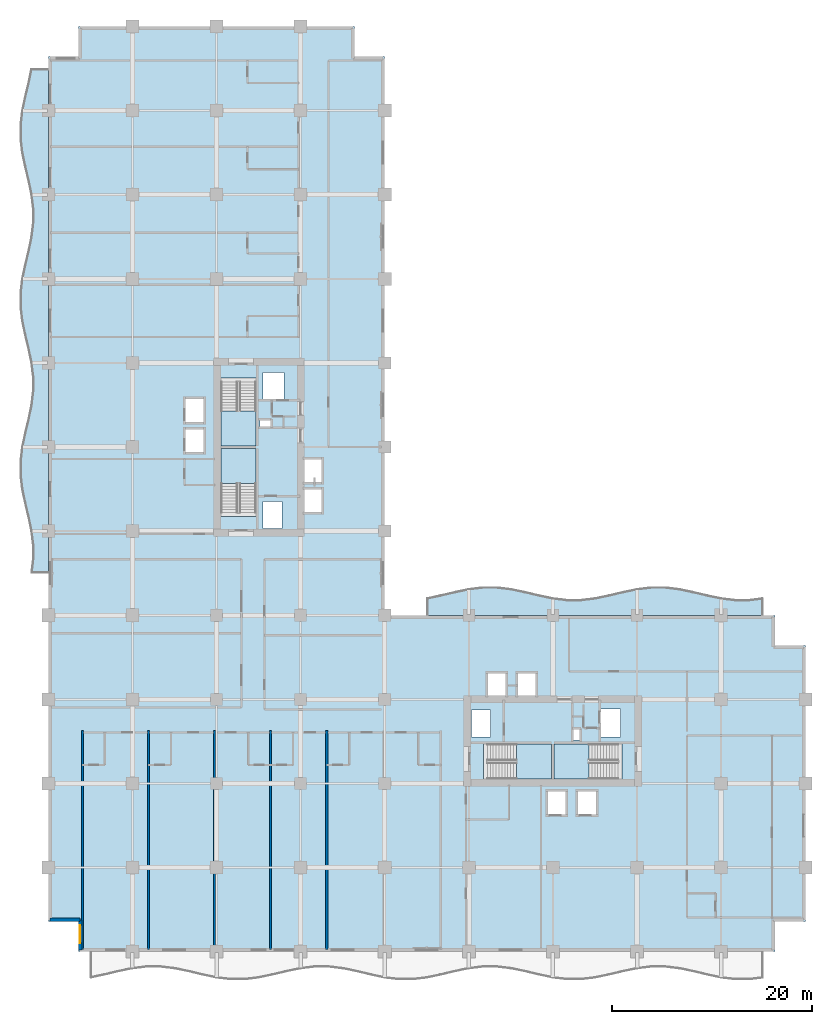
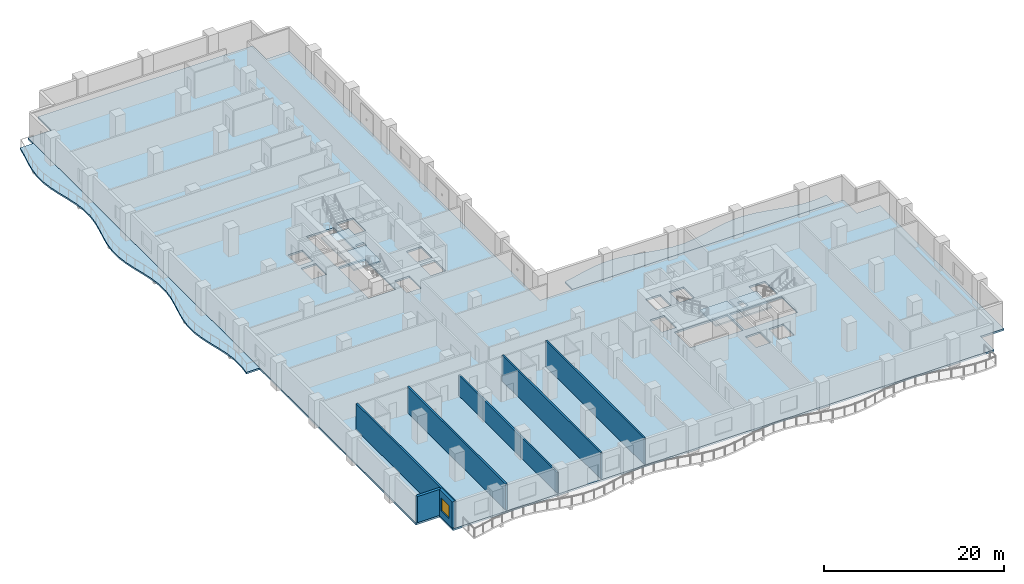
# One storey, part 3 of 17: 7 slabs, 7 walls, 1 window, 1 opening, 4 elements without a shape of their own.
"""IFC4 building model written with IfcOpenShell, lengths in metres."""

from ifc_helpers import new_model, si_unit, direction, frame, frame_2d, origin, place, context, subcontext, project, spatial, polyline, rectangle, outline, extrude, material, layer, layer_set, type_object, element, fill, aggregate, save


model = new_model("IFC4")

# Units and contexts
model_context = context("Model", 3, precision=1e-05, world=origin(), true_north=direction((0.0, 1.0)))
body_context = subcontext(model_context, "Body", "Model", "MODEL_VIEW")
ifc_project = project(units=[si_unit("LENGTHUNIT", "METRE"), si_unit("AREAUNIT", "SQUARE_METRE"), si_unit("VOLUMEUNIT", "CUBIC_METRE"), si_unit("PLANEANGLEUNIT", "RADIAN"), si_unit("MASSUNIT", "GRAM", prefix="KILO")], contexts=[model_context])

# Site, building, storey
site_placement = place(None, origin())
site = spatial("IfcSite", under=ifc_project, at=site_placement, CompositionType="ELEMENT")
building_placement = place(site_placement, origin())
building = spatial("IfcBuilding", under=site, at=building_placement, Name="Koriwani Terraces Tower", CompositionType="ELEMENT")
storey_placement = place(building_placement, frame((0.0, 0.0, 122.800048828125)))
storey = spatial("IfcBuildingStorey", under=building, at=storey_placement, Name="L29", CompositionType="ELEMENT", Elevation=122.800048828125)

# Slabs
ifc_material_1 = material(Name="Concrete C40/50", Category="concrete")
ifc_layer_1 = layer(ifc_material_1, 0.219970703125, Name="Concrete C40/50")
ifc_layer_set_1 = layer_set([ifc_layer_1], Name="Concrete C40/50")
slab_type_1 = type_object("IfcSlabType", Name="SLAB_BALCONY_220", PredefinedType="FLOOR", material=ifc_layer_set_1)
slab_1_placement = place(storey_placement, frame((0.0, 0.0, -0.219970703125)))
element("IfcSlab", 1, at=slab_1_placement, inside=storey, type_object=slab_type_1, Name="L29 Quilted Circular-Arc Balcony (W)", PredefinedType="FLOOR", context=body_context, shape_type="SweptSolid", body=[
    extrude(outline(polyline([(0.0, 37.800048828125), (0.0, 39.199951171875), (0.0, 40.60009765625), (0.0, 42.0), (0.0, 43.39990234375), (0.0, 44.800048828125), (0.0, 46.199951171875), (0.0, 47.60009765625), (0.0, 49.0), (0.0, 50.39990234375), (0.0, 51.800048828125), (0.0, 53.199951171875), (0.0, 54.60009765625), (0.0, 56.0), (0.0, 57.39990234375), (0.0, 58.800048828125), (0.0, 60.199951171875), (0.0, 61.60009765625), (0.0, 63.0), (0.0, 64.39990234375), (0.0, 65.800048828125), (0.0, 67.199951171875), (0.0, 68.60009765625), (0.0, 70.0), (0.0, 71.39990234375), (0.0, 72.800048828125), (0.0, 74.199951171875), (0.0, 75.60009765625), (0.0, 77.0), (0.0, 78.39990234375), (0.0, 79.800048828125), (0.0, 81.199951171875), (0.0, 82.60009765625), (0.0, 84.0), (0.0, 85.39990234375), (0.0, 86.800048828125), (0.0, 88.199951171875), (-1.740478515625, 88.199951171875), (-2.03173828125, 86.800048828125), (-2.3681640625, 85.39990234375), (-2.65966796875, 84.0), (-2.827880859375, 82.60009765625), (-2.827880859375, 81.199951171875), (-2.65966796875, 79.800048828125), (-2.3681640625, 78.39990234375), (-2.03173828125, 77.0), (-1.740478515625, 75.60009765625), (-1.572021484375, 74.199951171875), (-1.572021484375, 72.800048828125), (-1.740478515625, 71.39990234375), (-2.03173828125, 70.0), (-2.3681640625, 68.60009765625), (-2.65966796875, 67.199951171875), (-2.827880859375, 65.800048828125), (-2.827880859375, 64.39990234375), (-2.65966796875, 63.0), (-2.3681640625, 61.60009765625), (-2.03173828125, 60.199951171875), (-1.740478515625, 58.800048828125), (-1.572021484375, 57.39990234375), (-1.572021484375, 56.0), (-1.740478515625, 54.60009765625), (-2.03173828125, 53.199951171875), (-2.3681640625, 51.800048828125), (-2.65966796875, 50.39990234375), (-2.827880859375, 49.0), (-2.827880859375, 47.60009765625), (-2.65966796875, 46.199951171875), (-2.3681640625, 44.800048828125), (-2.03173828125, 43.39990234375), (-1.740478515625, 42.0), (-1.572021484375, 40.60009765625), (-1.572021484375, 39.199951171875), (-1.740478515625, 37.800048828125), (0.0, 37.800048828125)])), origin(), (0.0, 0.0, 1.0), 0.219970703125),
])
slab_2_placement = place(storey_placement, frame((0.0, 0.0, -0.219970703125)))
element("IfcSlab", 2, at=slab_2_placement, inside=storey, type_object=slab_type_1, Name="L29 Quilted Circular-Arc Balcony (NE)", PredefinedType="FLOOR", context=body_context, shape_type="SweptSolid", body=[
    extrude(outline(polyline([(71.39990234375, 33.60009765625), (70.0, 33.60009765625), (68.60009765625, 33.60009765625), (67.199951171875, 33.60009765625), (65.800048828125, 33.60009765625), (64.39990234375, 33.60009765625), (63.0, 33.60009765625), (61.60009765625, 33.60009765625), (60.199951171875, 33.60009765625), (58.800048828125, 33.60009765625), (57.39990234375, 33.60009765625), (56.0, 33.60009765625), (54.60009765625, 33.60009765625), (53.199951171875, 33.60009765625), (51.800048828125, 33.60009765625), (50.39990234375, 33.60009765625), (49.0, 33.60009765625), (47.60009765625, 33.60009765625), (46.199951171875, 33.60009765625), (44.800048828125, 33.60009765625), (43.39990234375, 33.60009765625), (42.0, 33.60009765625), (40.60009765625, 33.60009765625), (39.199951171875, 33.60009765625), (37.800048828125, 33.60009765625), (37.800048828125, 35.34033203125), (39.199951171875, 35.6318359375), (40.60009765625, 35.96826171875), (42.0, 36.259521484375), (43.39990234375, 36.427978515625), (44.800048828125, 36.427978515625), (46.199951171875, 36.259521484375), (47.60009765625, 35.96826171875), (49.0, 35.6318359375), (50.39990234375, 35.34033203125), (51.800048828125, 35.172119140625), (53.199951171875, 35.172119140625), (54.60009765625, 35.34033203125), (56.0, 35.6318359375), (57.39990234375, 35.96826171875), (58.800048828125, 36.259521484375), (60.199951171875, 36.427978515625), (61.60009765625, 36.427978515625), (63.0, 36.259521484375), (64.39990234375, 35.96826171875), (65.800048828125, 35.6318359375), (67.199951171875, 35.34033203125), (68.60009765625, 35.172119140625), (70.0, 35.172119140625), (71.39990234375, 35.34033203125), (71.39990234375, 33.60009765625)])), origin(), (0.0, 0.0, 1.0), 0.219970703125),
])

# Stair, slab
stair_type = type_object("IfcStairType", Name="STAIR_CORE_DOGLEG_1650", PredefinedType="TWO_STRAIGHT_RUN_STAIR", material=ifc_material_1)
stair_1_placement = place(storey_placement, origin())
stair_1 = element("IfcStair", 3, at=stair_1_placement, inside=storey, type_object=stair_type, Name="L29 West Core Exit Stair 1", PredefinedType="HALF_TURN_STAIR")
ifc_layer_2 = layer(ifc_material_1, 0.199951171875, Name="Concrete C40/50")
ifc_layer_set_2 = layer_set([ifc_layer_2], Name="Concrete C40/50")
slab_type_2 = type_object("IfcSlabType", Name="SLAB_STAIR_LANDING_200", PredefinedType="LANDING", material=ifc_layer_set_2)
slab_3_placement = place(storey_placement, frame((0.0, 0.0, 1.699951171875)))
slab_3 = element("IfcSlab", 4, at=slab_3_placement, type_object=slab_type_2, Name="ST-W1 landing 1", PredefinedType="LANDING", context=body_context, shape_type="SweptSolid", body=[
    extrude(outline(polyline([(20.75, 46.75), (20.75, 50.25), (17.25, 50.25), (17.25, 46.75), (20.75, 46.75)])), origin(), (0.0, 0.0, 1.0), 0.199951171875),
])
aggregate(stair_1, [slab_3])

stair_2_placement = place(storey_placement, origin())
stair_2 = element("IfcStair", 5, at=stair_2_placement, inside=storey, type_object=stair_type, Name="L29 West Core Exit Stair 2", PredefinedType="HALF_TURN_STAIR")
slab_4_placement = place(storey_placement, frame((0.0, 0.0, 1.699951171875)))
slab_4 = element("IfcSlab", 6, at=slab_4_placement, type_object=slab_type_2, Name="ST-W2 landing 1", PredefinedType="LANDING", context=body_context, shape_type="SweptSolid", body=[
    extrude(outline(polyline([(17.25, 54.0), (17.25, 50.5), (20.75, 50.5), (20.75, 54.0), (17.25, 54.0)])), origin(), (0.0, 0.0, 1.0), 0.199951171875),
])
aggregate(stair_2, [slab_4])

stair_3_placement = place(storey_placement, origin())
stair_3 = element("IfcStair", 7, at=stair_3_placement, inside=storey, type_object=stair_type, Name="L29 East Core Exit Stair 1", PredefinedType="HALF_TURN_STAIR")
slab_5_placement = place(storey_placement, frame((0.0, 0.0, 1.699951171875)))
slab_5 = element("IfcSlab", 8, at=slab_5_placement, type_object=slab_type_2, Name="ST-E1 landing 1", PredefinedType="LANDING", context=body_context, shape_type="SweptSolid", body=[
    extrude(outline(polyline([(46.75, 17.25), (50.25, 17.25), (50.25, 20.75), (46.75, 20.75), (46.75, 17.25)])), origin(), (0.0, 0.0, 1.0), 0.199951171875),
])
aggregate(stair_3, [slab_5])

stair_4_placement = place(storey_placement, origin())
stair_4 = element("IfcStair", 9, at=stair_4_placement, inside=storey, type_object=stair_type, Name="L29 East Core Exit Stair 2", PredefinedType="HALF_TURN_STAIR")
slab_6_placement = place(storey_placement, frame((0.0, 0.0, 1.699951171875)))
slab_6 = element("IfcSlab", 10, at=slab_6_placement, type_object=slab_type_2, Name="ST-E2 landing 1", PredefinedType="LANDING", context=body_context, shape_type="SweptSolid", body=[
    extrude(outline(polyline([(54.0, 20.75), (50.5, 20.75), (50.5, 17.25), (54.0, 17.25), (54.0, 20.75)])), origin(), (0.0, 0.0, 1.0), 0.199951171875),
])
aggregate(stair_4, [slab_6])

# Slab
ifc_layer_3 = layer(ifc_material_1, 0.25, Name="Concrete C40/50")
ifc_layer_set_3 = layer_set([ifc_layer_3], Name="Concrete C40/50")
slab_type_3 = type_object("IfcSlabType", Name="SLAB_TOWER_TYP_250", PredefinedType="FLOOR", material=ifc_layer_set_3)
slab_7_placement = place(storey_placement, frame((0.0, 0.0, -0.25)))
element("IfcSlab", 11, at=slab_7_placement, inside=storey, type_object=slab_type_3, Name="L29 Structural Floor Slab", PredefinedType="FLOOR", context=body_context, shape_type="SweptSolid", body=[
    extrude(outline(polyline([(3.0, 0.0), (72.60009765625, 0.0), (72.60009765625, 3.0), (75.60009765625, 3.0), (75.60009765625, 30.60009765625), (72.60009765625, 30.60009765625), (72.60009765625, 33.60009765625), (33.60009765625, 33.60009765625), (33.60009765625, 89.39990234375), (30.60009765625, 89.39990234375), (30.60009765625, 92.39990234375), (3.0, 92.39990234375), (3.0, 89.39990234375), (0.0, 89.39990234375), (0.0, 3.0), (3.0, 3.0), (3.0, 0.0)]), holes=[polyline([(17.25, 43.4599609375), (20.75, 43.4599609375), (20.75, 50.25), (17.25, 50.25), (17.25, 43.4599609375)]), polyline([(17.25, 50.5), (20.75, 50.5), (20.75, 57.2900390625), (17.25, 57.2900390625), (17.25, 50.5)]), polyline([(43.4599609375, 17.25), (50.25, 17.25), (50.25, 20.75), (43.4599609375, 20.75), (43.4599609375, 17.25)]), polyline([(50.5, 17.25), (57.2900390625, 17.25), (57.2900390625, 20.75), (50.5, 20.75), (50.5, 17.25)]), polyline([(13.64990234375, 49.85009765625), (15.550048828125, 49.85009765625), (15.550048828125, 52.25), (13.64990234375, 52.25), (13.64990234375, 49.85009765625)]), polyline([(13.64990234375, 52.85009765625), (15.550048828125, 52.85009765625), (15.550048828125, 55.25), (13.64990234375, 55.25), (13.64990234375, 52.85009765625)]), polyline([(49.85009765625, 13.64990234375), (51.75, 13.64990234375), (51.75, 16.050048828125), (49.85009765625, 16.050048828125), (49.85009765625, 13.64990234375)]), polyline([(52.85009765625, 13.64990234375), (54.75, 13.64990234375), (54.75, 16.050048828125), (52.85009765625, 16.050048828125), (52.85009765625, 13.64990234375)]), polyline([(25.449951171875, 43.85009765625), (27.35009765625, 43.85009765625), (27.35009765625, 46.25), (25.449951171875, 46.25), (25.449951171875, 43.85009765625)]), polyline([(25.449951171875, 46.85009765625), (27.35009765625, 46.85009765625), (27.35009765625, 49.25), (25.449951171875, 49.25), (25.449951171875, 46.85009765625)]), polyline([(43.85009765625, 25.449951171875), (45.75, 25.449951171875), (45.75, 27.85009765625), (43.85009765625, 27.85009765625), (43.85009765625, 25.449951171875)]), polyline([(46.85009765625, 25.449951171875), (48.75, 25.449951171875), (48.75, 27.85009765625), (46.85009765625, 27.85009765625), (46.85009765625, 25.449951171875)]), polyline([(21.449951171875, 55.050048828125), (23.550048828125, 55.050048828125), (23.550048828125, 57.85009765625), (21.449951171875, 57.85009765625), (21.449951171875, 55.050048828125)]), polyline([(55.050048828125, 21.449951171875), (57.14990234375, 21.449951171875), (57.14990234375, 24.25), (55.050048828125, 24.25), (55.050048828125, 21.449951171875)]), polyline([(21.449951171875, 42.25), (23.35009765625, 42.25), (23.35009765625, 44.949951171875), (21.449951171875, 44.949951171875), (21.449951171875, 42.25)]), polyline([(42.25, 21.449951171875), (44.14990234375, 21.449951171875), (44.14990234375, 24.14990234375), (42.25, 24.14990234375), (42.25, 21.449951171875)]), polyline([(21.14990234375, 52.419921875), (22.219970703125, 52.419921875), (22.219970703125, 53.179931640625), (21.14990234375, 53.179931640625), (21.14990234375, 52.419921875)]), polyline([(52.419921875, 21.14990234375), (53.179931640625, 21.14990234375), (53.179931640625, 22.219970703125), (52.419921875, 22.219970703125), (52.419921875, 21.14990234375)])]), origin(), (0.0, 0.0, 1.0), 0.25),
])

# Walls
ifc_material_2 = material(Name="Autoclaved Cellular Concrete Blockwork", Category="masonry")
ifc_layer_4 = layer(ifc_material_2, 0.219970703125, Name="Autoclaved Cellular Concrete Blockwork")
ifc_layer_set_4 = layer_set([ifc_layer_4], Name="Autoclaved Cellular Concrete Blockwork")
wall_type_1 = type_object("IfcWallType", Name="WALL_DEMISING_220", PredefinedType="PARTITIONING", material=ifc_layer_set_4)
for number, where, z_axis, x_axis, name in (
    (12, (3.39990234375, 0.199951171875, 0.0), (0.0, 0.0, 1.0), (0.0, 1.0, 0.0), "L29 Interior Wall WDEM-L29-SW-0"),
    (13, (10.0, 0.199951171875, 0.0), (0.0, 0.0, 1.0), (0.0, 1.0, 0.0), "L29 Interior Wall WDEM-L29-SW-1"),
):
    element("IfcWall", number, at=place(storey_placement, frame(where, z_axis=z_axis, x_axis=x_axis)), inside=storey, type_object=wall_type_1, Name=name, PredefinedType="PARTITIONING", context=body_context, shape_type="SweptSolid", body=[
        extrude(rectangle(XDim=21.880126953125, YDim=0.219970703125, at=frame_2d((10.93994140625, 0.0))), origin(), (0.0, 0.0, 1.0), 3.550048828125),
    ])
wall_1_placement = place(storey_placement, frame((16.60009765625, 0.199951171875, 0.0), z_axis=(0.0, 0.0, 1.0), x_axis=(0.0, 1.0, 0.0)))
element("IfcWall", 14, at=wall_1_placement, inside=storey, type_object=wall_type_1, Name="L29 Interior Wall WDEM-L29-SW-2", PredefinedType="PARTITIONING", context=body_context, shape_type="SweptSolid", body=[
    extrude(rectangle(XDim=21.880126953125, YDim=0.219970703125, at=frame_2d((10.93994140625, 0.0))), origin(), (0.0, 0.0, 1.0), 2.800048828125),
])
for number, where, z_axis, x_axis, name in (
    (15, (22.199951171875, 0.199951171875, 0.0), (0.0, 0.0, 1.0), (0.0, 1.0, 0.0), "L29 Interior Wall WDEM-L29-SW-3"),
    (16, (27.800048828125, 0.199951171875, 0.0), (0.0, 0.0, 1.0), (0.0, 1.0, 0.0), "L29 Interior Wall WDEM-L29-SW-4"),
):
    element("IfcWall", number, at=place(storey_placement, frame(where, z_axis=z_axis, x_axis=x_axis)), inside=storey, type_object=wall_type_1, Name=name, PredefinedType="PARTITIONING", context=body_context, shape_type="SweptSolid", body=[
        extrude(rectangle(XDim=21.880126953125, YDim=0.219970703125, at=frame_2d((10.93994140625, 0.0))), origin(), (0.0, 0.0, 1.0), 3.550048828125),
    ])

# Wall, opening, window
ifc_material_3 = material(Name="Concrete C50/60", Category="concrete")
ifc_layer_5 = layer(ifc_material_3, 0.35009765625, Name="Concrete C50/60")
ifc_layer_set_5 = layer_set([ifc_layer_5], Name="Concrete C50/60")
wall_type_2 = type_object("IfcWallType", Name="WALL_EXT_BRUTALIST_350", PredefinedType="STANDARD", material=ifc_layer_set_5)
wall_2_placement = place(storey_placement, frame((3.175048828125, 0.175048828125, 0.0), z_axis=(0.0, 0.0, 1.0), x_axis=(0.0, 1.0, 0.0)))
wall_2 = element("IfcWall", 17, at=wall_2_placement, inside=storey, type_object=wall_type_2, Name="L29 Fair-Faced Brutalist Exterior Wall (N0)", PredefinedType="STANDARD", context=body_context, shape_type="SweptSolid", body=[
    extrude(rectangle(XDim=3.0, YDim=0.35009765625, at=frame_2d((1.5, 0.0))), origin(), (0.0, 0.0, 1.0), 3.550048828125),
])
opening_placement = place(wall_2_placement, frame((0.677490234375, 0.0, 0.85009765625)))
opening = element("IfcOpeningElement", 18, at=opening_placement, cuts=wall_2, Name="Opening W-04", PredefinedType="OPENING", context=body_context, shape_type="SweptSolid", body=[
    extrude(rectangle(XDim=1.800048828125, YDim=1.800048828125, at=frame_2d((0.89990234375, 0.89990234375))), frame((0.0, 0.18505859375, 0.0), z_axis=(0.0, -1.0, 0.0), x_axis=(1.0, 0.0, 0.0)), (0.0, 0.0, 1.0), 0.3701171875),
])
ifc_material_4 = material(Name="Tempered Laminated Low-E Glass", Category="glass")
window_type = type_object("IfcWindowType", Name="WIN_RES_BED_1800X1800", PartitioningType="DOUBLE_PANEL_VERTICAL", PredefinedType="WINDOW", material=ifc_material_4)
window_placement = place(opening_placement, origin())
window = element("IfcWindow", 19, at=window_placement, inside=storey, type_object=window_type, Name="L29 Exterior Window (N0-R32)", OverallHeight=1.800048828125, OverallWidth=1.800048828125, PartitioningType="SINGLE_PANEL", PredefinedType="WINDOW", context=body_context, shape_type="SweptSolid", body=[
    extrude(rectangle(XDim=1.800048828125, YDim=1.800048828125, at=frame_2d((0.89990234375, 0.89990234375))), frame((0.0, 0.030029296875, 0.0), z_axis=(0.0, -1.0, 0.0), x_axis=(1.0, 0.0, 0.0)), (0.0, 0.0, 1.0), 0.06005859375),
])
fill(opening, window)

# Wall
wall_3_placement = place(storey_placement, frame((3.175048828125, 3.175048828125, 0.0), z_axis=(0.0, 0.0, 1.0), x_axis=(-1.0, 0.0, 0.0)))
element("IfcWall", 20, at=wall_3_placement, inside=storey, type_object=wall_type_2, Name="L29 Fair-Faced Brutalist Exterior Wall (N1)", PredefinedType="STANDARD", context=body_context, shape_type="SweptSolid", body=[
    extrude(rectangle(XDim=3.0, YDim=0.35009765625, at=frame_2d((1.5, 0.0))), origin(), (0.0, 0.0, 1.0), 3.550048828125),
])

save(model, "model.ifc")
